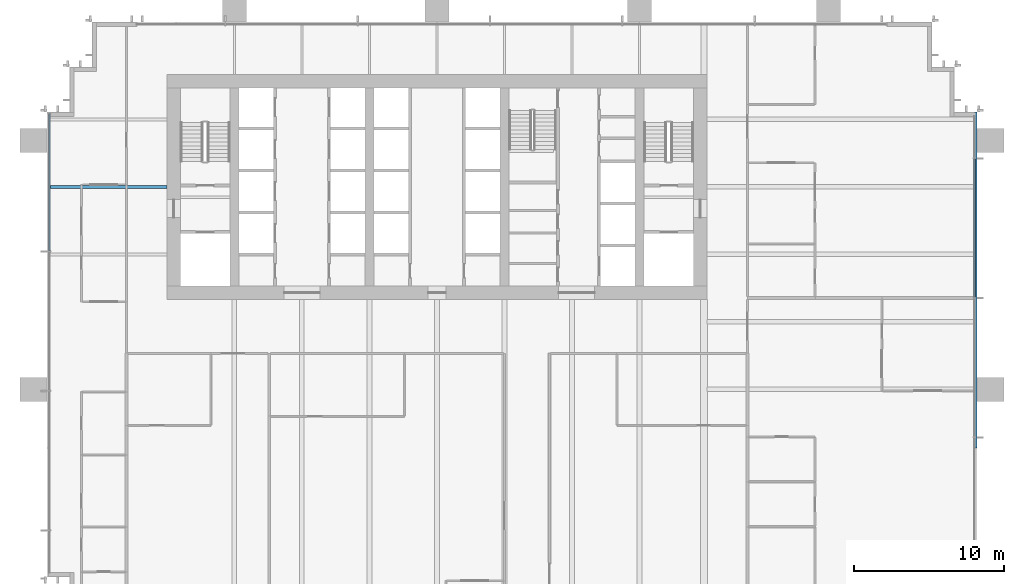
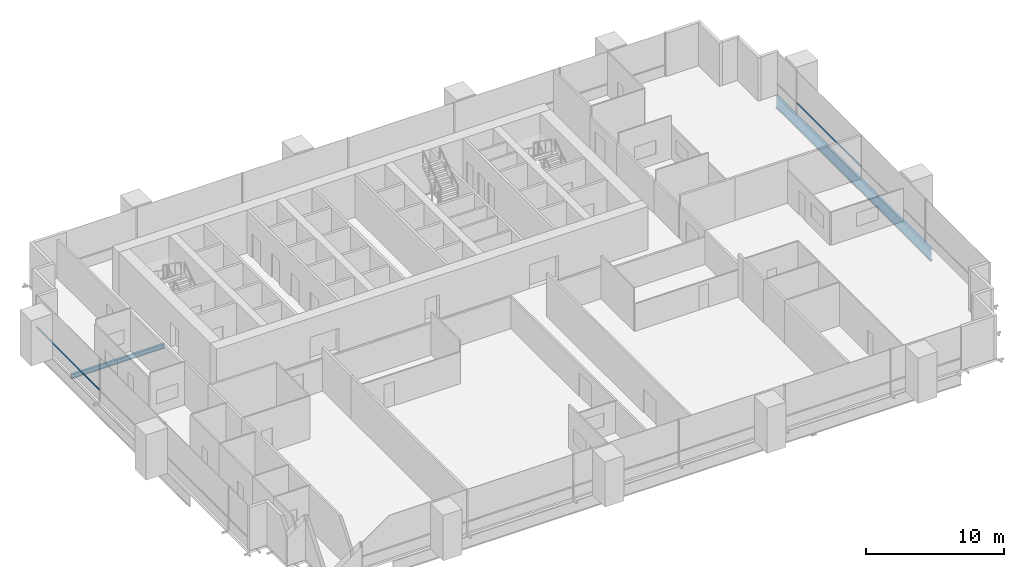
# One storey, part 7 of 17: 2 beams, 2 members, 2 elements without a shape of their own.
"""IFC4 building model written with IfcOpenShell, lengths in metres."""

from ifc_helpers import new_model, si_unit, direction, frame, origin, origin_2d, place, context, subcontext, project, spatial, rectangle, i_section, extrude, material, material_profile, profile_set, type_object, element, aggregate, save


model = new_model("IFC4")

# Units and contexts
model_context = context("Model", 3, precision=1e-05, world=origin(), true_north=direction((0.0, 1.0)))
body_context = subcontext(model_context, "Body", "Model", "MODEL_VIEW")
ifc_project = project(units=[si_unit("LENGTHUNIT", "METRE"), si_unit("AREAUNIT", "SQUARE_METRE"), si_unit("VOLUMEUNIT", "CUBIC_METRE"), si_unit("PLANEANGLEUNIT", "RADIAN"), si_unit("MASSUNIT", "GRAM", prefix="KILO")], contexts=[model_context])

# Site, building, storey
site_placement = place(None, origin())
site = spatial("IfcSite", under=ifc_project, at=site_placement, CompositionType="ELEMENT")
building_placement = place(site_placement, origin())
building = spatial("IfcBuilding", under=site, at=building_placement, Name="Rattan Terrace Tower", CompositionType="ELEMENT")
storey_placement = place(building_placement, frame((0.0, 0.0, 95.699951171875)))
storey = spatial("IfcBuildingStorey", under=building, at=storey_placement, Name="L21", CompositionType="ELEMENT", Elevation=95.699951171875)

# Curtain wall, member
ifc_material_1 = material(Name="Aluminium and glass", Category="aluminium")
curtain_wall_type = type_object("IfcCurtainWallType", Name="Facade Unitised Curtain Wall", PredefinedType="NOTDEFINED", material=ifc_material_1)
curtain_wall_1_placement = place(storey_placement, origin())
curtain_wall_1 = element("IfcCurtainWall", 1, at=curtain_wall_1_placement, inside=storey, type_object=curtain_wall_type, Name="Curtain wall L21-1", PredefinedType="NOTDEFINED")
ifc_material_2 = material(Name="Aluminium", Category="aluminium")
ifc_material_profile_1 = material_profile(ifc_material_2, rectangle(XDim=0.1201171875, YDim=0.06005859375, at=origin_2d()), Name="Aluminium 120x60")
ifc_profile_set_1 = profile_set([ifc_material_profile_1], Name="Aluminium")
member_type = type_object("IfcMemberType", Name="Facade CW Transom 120x60", PredefinedType="USERDEFINED", material=ifc_profile_set_1)
member_1_placement = place(storey_placement, frame((35.830078125, -7.3701171875, 1.0), z_axis=(0.0, 1.0, 0.0), x_axis=(-1.0, 0.0, 0.0)))
member_1 = element("IfcMember", 2, at=member_1_placement, type_object=member_type, Name="Transom cwl-L21-001.3", ObjectType="TRANSOM", PredefinedType="USERDEFINED", context=body_context, shape_type="SweptSolid", body=[
    extrude(rectangle(XDim=0.1201171875, YDim=0.06005859375, at=origin_2d()), origin(), (0.0, 0.0, 1.0), 9.240234375),
])
aggregate(curtain_wall_1, [member_1])

curtain_wall_2_placement = place(storey_placement, origin())
curtain_wall_2 = element("IfcCurtainWall", 3, at=curtain_wall_2_placement, inside=storey, type_object=curtain_wall_type, Name="Curtain wall L21-3", PredefinedType="NOTDEFINED")
member_2_placement = place(storey_placement, frame((-25.830078125, 4.89501953125, 1.0), z_axis=(0.0, -1.0, 0.0), x_axis=(1.0, 0.0, 0.0)))
member_2 = element("IfcMember", 4, at=member_2_placement, type_object=member_type, Name="Transom cwl-L21-003.1", ObjectType="TRANSOM", PredefinedType="USERDEFINED", context=body_context, shape_type="SweptSolid", body=[
    extrude(rectangle(XDim=0.1201171875, YDim=0.06005859375, at=origin_2d()), origin(), (0.0, 0.0, 1.0), 9.1650390625),
])
aggregate(curtain_wall_2, [member_2])

# Beams
ifc_material_3 = material(Name="Steel S460", Category="steel")
ifc_material_profile_2 = material_profile(ifc_material_3, i_section(OverallWidth=0.179931640625, OverallDepth=1.10009765625, WebThickness=0.01611328125, FlangeThickness=0.050048828125, at=origin_2d()), Name="PG 1100x180-16-50")
ifc_profile_set_2 = profile_set([ifc_material_profile_2], Name="Steel S460")
beam_type_1 = type_object("IfcBeamType", Name="Frame edge girder PG 1100x180-16-50", PredefinedType="SPANDREL", material=ifc_profile_set_2)
beam_1_placement = place(storey_placement, frame((35.909912109375, 5.0, -0.75), z_axis=(0.0, -1.0, 0.0), x_axis=(1.0, 0.0, 0.0)))
element("IfcBeam", 5, at=beam_1_placement, inside=storey, type_object=beam_type_1, Name="gdr-L21-005", PredefinedType="SPANDREL", context=body_context, shape_type="SweptSolid", body=[
    extrude(i_section(OverallWidth=0.179931640625, OverallDepth=1.10009765625, WebThickness=0.01611328125, FlangeThickness=0.050048828125, at=origin_2d()), origin(), (0.0, 0.0, 1.0), 22.39990234375),
])
ifc_material_4 = material(Name="Steel S355", Category="steel")
ifc_material_profile_3 = material_profile(ifc_material_4, i_section(OverallWidth=0.179931640625, OverallDepth=0.39990234375, WebThickness=0.008544921875, FlangeThickness=0.013427734375, FilletRadius=0.02099609375, at=origin_2d()), Name="IPE 400")
ifc_profile_set_3 = profile_set([ifc_material_profile_3], Name="Steel S355")
beam_type_2 = type_object("IfcBeamType", Name="Frame floor beam IPE 400", PredefinedType="JOIST", material=ifc_profile_set_3)
beam_2_placement = place(storey_placement, frame((-25.820068359375, 0.0, -0.39990234375), z_axis=(1.0, 0.0, 0.0), x_axis=(0.0, 1.0, 0.0)))
element("IfcBeam", 6, at=beam_2_placement, inside=storey, type_object=beam_type_2, Name="bm-L21-014", PredefinedType="JOIST", context=body_context, shape_type="SweptSolid", body=[
    extrude(i_section(OverallWidth=0.179931640625, OverallDepth=0.39990234375, WebThickness=0.008544921875, FlangeThickness=0.013427734375, FilletRadius=0.02099609375, at=origin_2d()), origin(), (0.0, 0.0, 1.0), 7.820068359375),
])

save(model, "model.ifc")
